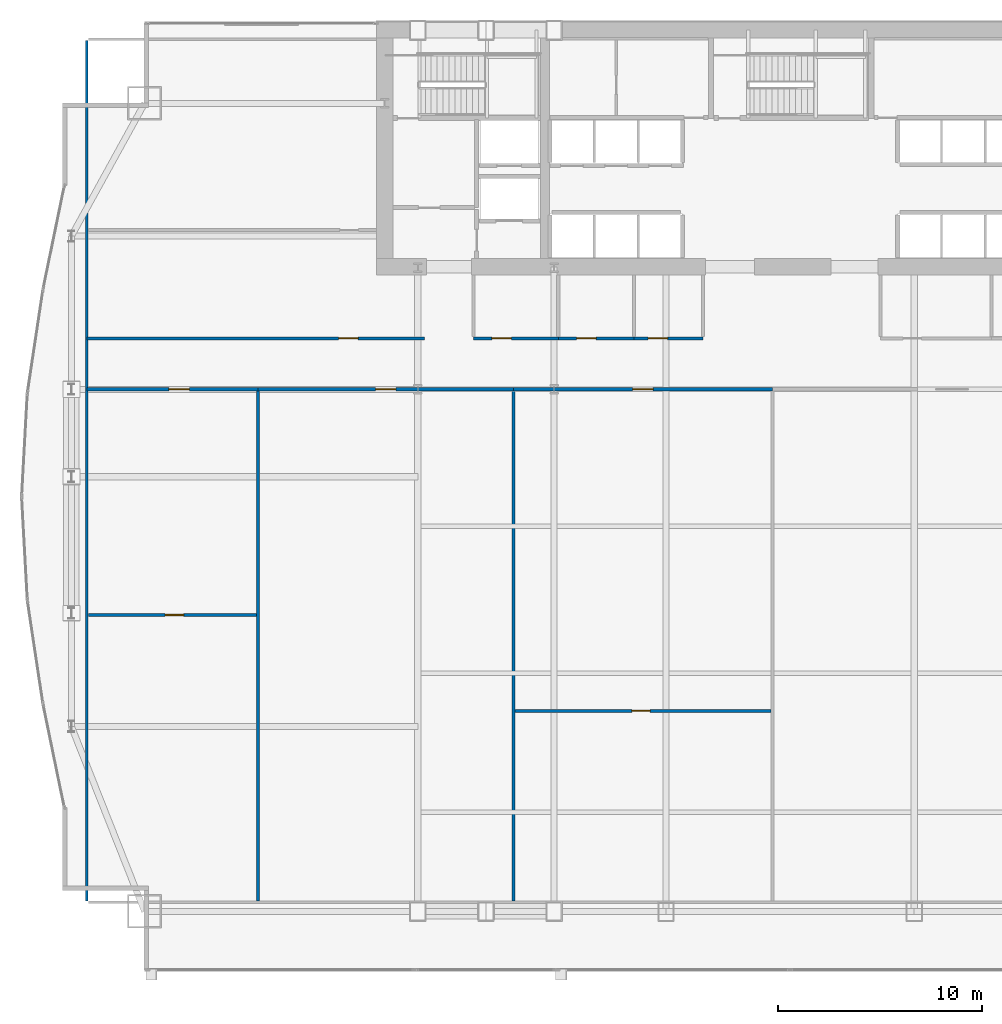
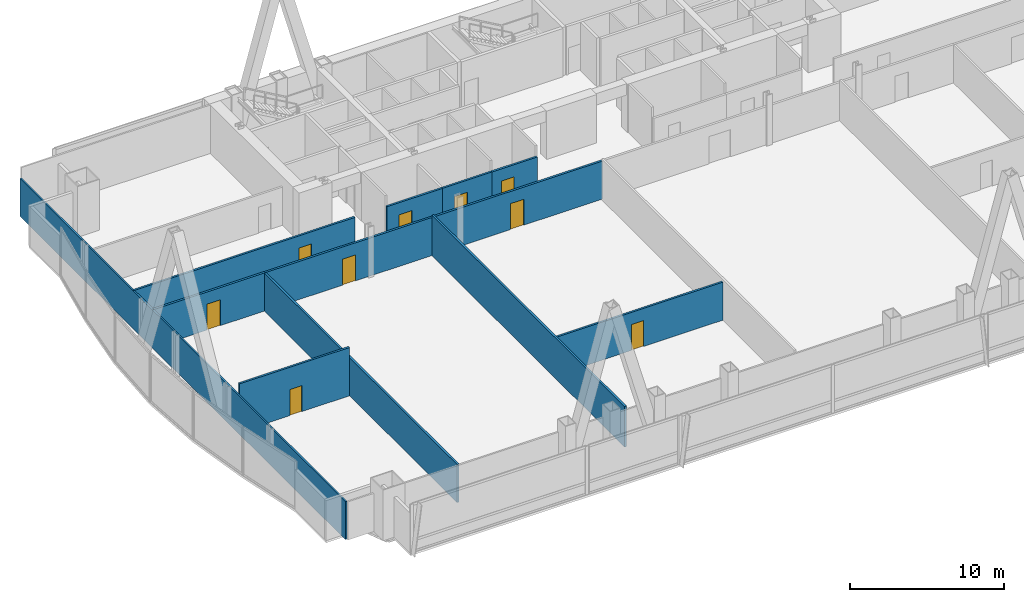
# One storey, part 30 of 36: 12 walls, 9 doors, 9 openings.
"""IFC4 building model written with IfcOpenShell, lengths in metres."""

from ifc_helpers import new_model, si_unit, direction, frame, frame_2d, origin, place, context, subcontext, project, spatial, rectangle, extrude, material, layer, layer_set, type_object, element, fill, save


model = new_model("IFC4")

# Units and contexts
model_context = context("Model", 3, precision=1e-05, world=origin(), true_north=direction((0.0, 1.0)))
body_context = subcontext(model_context, "Body", "Model", "MODEL_VIEW")
ifc_project = project(units=[si_unit("LENGTHUNIT", "METRE"), si_unit("AREAUNIT", "SQUARE_METRE"), si_unit("VOLUMEUNIT", "CUBIC_METRE"), si_unit("PLANEANGLEUNIT", "RADIAN"), si_unit("MASSUNIT", "GRAM", prefix="KILO")], contexts=[model_context])

# Site, building, storey
site_placement = place(None, origin())
site = spatial("IfcSite", under=ifc_project, at=site_placement, CompositionType="ELEMENT")
building_placement = place(site_placement, origin())
building = spatial("IfcBuilding", under=site, at=building_placement, Name="Khoronbel Lancet Exchange", CompositionType="ELEMENT")
storey_placement = place(building_placement, frame((0.0, 0.0, 49.800048828125)))
storey = spatial("IfcBuildingStorey", under=building, at=storey_placement, Name="L11", CompositionType="ELEMENT", Elevation=49.800048828125)

# Wall, opening, door
ifc_material_1 = material(Name="Acoustic Metal-Stud & Mineral-Wool Gypsum Partition 120 mm", Category="gypsum")
ifc_layer_1 = layer(ifc_material_1, 0.1201171875, Name="Acoustic Metal-Stud & Mineral-Wool Gypsum Partition 120 mm")
ifc_layer_set_1 = layer_set([ifc_layer_1], Name="Acoustic Metal-Stud & Mineral-Wool Gypsum Partition 120 mm")
wall_type_1 = type_object("IfcWallType", Name="WL-PRT120", PredefinedType="PARTITIONING", material=ifc_layer_set_1)
wall_1_placement = place(storey_placement, frame((2.094970703125, 24.656005859375, 0.0), z_axis=(0.0, 0.0, 1.0), x_axis=(1.0, 0.0, 0.0)))
wall_1 = element("IfcWall", 1, at=wall_1_placement, inside=storey, type_object=wall_type_1, Name="Level L11 interior partition PW-Z1S-H1", PredefinedType="PARTITIONING", context=body_context, shape_type="SweptSolid", body=[
    extrude(rectangle(XDim=8.225341796875, YDim=0.14990234375, at=frame_2d((4.11279296875, 0.0))), origin(), (0.0, 0.0, 1.0), 3.820068359375),
])
opening_1_placement = place(wall_1_placement, frame((3.7666015625, 0.0, 0.0)))
opening_1 = element("IfcOpeningElement", 2, at=opening_1_placement, cuts=wall_1, Name="Opening D5", PredefinedType="OPENING", context=body_context, shape_type="SweptSolid", body=[
    extrude(rectangle(XDim=0.89990234375, YDim=2.050048828125, at=frame_2d((0.449951171875, 1.02490234375))), frame((0.0, 0.0849609375, 0.0), z_axis=(0.0, -1.0, 0.0), x_axis=(1.0, 0.0, 0.0)), (0.0, 0.0, 1.0), 0.169921875),
])
ifc_material_2 = material(Name="Acoustic Timber Pantry & Support Door", Category="wood")
door_type_1 = type_object("IfcDoorType", Name="DR-D5", OperationType="NOTDEFINED", PredefinedType="DOOR", material=ifc_material_2)
door_1_placement = place(opening_1_placement, origin())
door_1 = element("IfcDoor", 3, at=door_1_placement, inside=storey, type_object=door_type_1, Name="Z1S inner door 1 L11-1", OperationType="SINGLE_SWING_RIGHT", OverallHeight=2.050048828125, OverallWidth=0.89990234375, PredefinedType="DOOR", context=body_context, shape_type="SweptSolid", body=[
    extrude(rectangle(XDim=0.89990234375, YDim=2.050048828125, at=frame_2d((0.449951171875, 1.02490234375))), frame((0.0, 0.02490234375, 0.0), z_axis=(0.0, -1.0, 0.0), x_axis=(1.0, 0.0, 0.0)), (0.0, 0.0, 1.0), 0.050048828125),
])
fill(opening_1, door_1)

wall_2_placement = place(storey_placement, frame((22.994140625, 19.9658203125, 0.0), z_axis=(0.0, 0.0, 1.0), x_axis=(1.0, 0.0, 0.0)))
wall_2 = element("IfcWall", 4, at=wall_2_placement, inside=storey, type_object=wall_type_1, Name="Level L11 interior partition PW-Z1S-H3", PredefinedType="PARTITIONING", context=body_context, shape_type="SweptSolid", body=[
    extrude(rectangle(XDim=12.520751953125, YDim=0.14990234375, at=frame_2d((6.26025390625, 0.0))), origin(), (0.0, 0.0, 1.0), 3.010009765625),
])
opening_2_placement = place(wall_2_placement, frame((5.706298828125, 0.0, 0.0)))
opening_2 = element("IfcOpeningElement", 5, at=opening_2_placement, cuts=wall_2, Name="Opening D5", PredefinedType="OPENING", context=body_context, shape_type="SweptSolid", body=[
    extrude(rectangle(XDim=0.89990234375, YDim=2.050048828125, at=frame_2d((0.449951171875, 1.02490234375))), frame((0.0, 0.0849609375, 0.0), z_axis=(0.0, -1.0, 0.0), x_axis=(1.0, 0.0, 0.0)), (0.0, 0.0, 1.0), 0.169921875),
])
door_2_placement = place(opening_2_placement, origin())
door_2 = element("IfcDoor", 6, at=door_2_placement, inside=storey, type_object=door_type_1, Name="Z1S inner door 3 L11-1", OperationType="SINGLE_SWING_LEFT", OverallHeight=2.050048828125, OverallWidth=0.89990234375, PredefinedType="DOOR", context=body_context, shape_type="SweptSolid", body=[
    extrude(rectangle(XDim=0.89990234375, YDim=2.050048828125, at=frame_2d((0.449951171875, 1.02490234375))), frame((0.0, 0.02490234375, 0.0), z_axis=(0.0, -1.0, 0.0), x_axis=(1.0, 0.0, 0.0)), (0.0, 0.0, 1.0), 0.050048828125),
])
fill(opening_2, door_2)

# Wall
wall_3_placement = place(storey_placement, frame((2.030029296875, 10.6650390625, 0.0), z_axis=(0.0, 0.0, 1.0), x_axis=(0.0, 1.0, 0.0)))
element("IfcWall", 7, at=wall_3_placement, inside=storey, type_object=wall_type_1, Name="Level L11 interior partition PW-LIN-W", PredefinedType="PARTITIONING", context=body_context, shape_type="SweptSolid", body=[
    extrude(rectangle(XDim=42.10986328125, YDim=0.1201171875, at=frame_2d((21.054931640625, 0.0))), origin(), (0.0, 0.0, 1.0), 3.010009765625),
])

# Wall, opening, door
ifc_material_3 = material(Name="Fire-Rated Twin-Stud Acoustic Gypsum Partition 150 mm", Category="gypsum")
ifc_layer_2 = layer(ifc_material_3, 0.14990234375, Name="Fire-Rated Twin-Stud Acoustic Gypsum Partition 150 mm")
ifc_layer_set_2 = layer_set([ifc_layer_2], Name="Fire-Rated Twin-Stud Acoustic Gypsum Partition 150 mm")
wall_type_2 = type_object("IfcWallType", Name="WL-PRT150C", PredefinedType="PARTITIONING", material=ifc_layer_set_2)
wall_4_placement = place(storey_placement, frame((20.949951171875, 38.199951171875, 0.0), z_axis=(0.0, 0.0, 1.0), x_axis=(1.0, 0.0, 0.0)))
wall_4 = element("IfcWall", 8, at=wall_4_placement, inside=storey, type_object=wall_type_2, Name="Level L11 interior partition PW-WC-S1", PredefinedType="PARTITIONING", context=body_context, shape_type="SweptSolid", body=[
    extrude(rectangle(XDim=4.150146484375, YDim=0.14990234375, at=frame_2d((2.0751953125, 0.0))), origin(), (0.0, 0.0, 1.0), 3.010009765625),
])
opening_3_placement = place(wall_4_placement, frame((0.89990234375, 0.0, 0.0)))
opening_3 = element("IfcOpeningElement", 9, at=opening_3_placement, cuts=wall_4, Name="Opening D4", PredefinedType="OPENING", context=body_context, shape_type="SweptSolid", body=[
    extrude(rectangle(XDim=0.949951171875, YDim=2.050048828125, at=frame_2d((0.47509765625, 1.02490234375))), frame((0.0, 0.0849609375, 0.0), z_axis=(0.0, -1.0, 0.0), x_axis=(1.0, 0.0, 0.0)), (0.0, 0.0, 1.0), 0.169921875),
])
ifc_material_4 = material(Name="Moisture-Resistant HPL Washroom Door", Category="wood")
door_type_2 = type_object("IfcDoorType", Name="DR-D4", OperationType="NOTDEFINED", PredefinedType="DOOR", material=ifc_material_4)
door_3_placement = place(opening_3_placement, origin())
door_3 = element("IfcDoor", 10, at=door_3_placement, inside=storey, type_object=door_type_2, Name="Male washroom door L11-1", OperationType="SINGLE_SWING_RIGHT", OverallHeight=2.050048828125, OverallWidth=0.949951171875, PredefinedType="DOOR", context=body_context, shape_type="SweptSolid", body=[
    extrude(rectangle(XDim=0.949951171875, YDim=2.050048828125, at=frame_2d((0.47509765625, 1.02490234375))), frame((0.0, 0.02490234375, 0.0), z_axis=(0.0, -1.0, 0.0), x_axis=(1.0, 0.0, 0.0)), (0.0, 0.0, 1.0), 0.050048828125),
])
fill(opening_3, door_3)

wall_5_placement = place(storey_placement, frame((25.10009765625, 38.199951171875, 0.0), z_axis=(0.0, 0.0, 1.0), x_axis=(1.0, 0.0, 0.0)))
wall_5 = element("IfcWall", 11, at=wall_5_placement, inside=storey, type_object=wall_type_2, Name="Level L11 interior partition PW-WC-S2", PredefinedType="PARTITIONING", context=body_context, shape_type="SweptSolid", body=[
    extrude(rectangle(XDim=3.699951171875, YDim=0.14990234375, at=frame_2d((1.85009765625, 0.0))), origin(), (0.0, 0.0, 1.0), 3.010009765625),
])
opening_4_placement = place(wall_5_placement, frame((0.89990234375, 0.0, 0.0)))
opening_4 = element("IfcOpeningElement", 12, at=opening_4_placement, cuts=wall_5, Name="Opening D4", PredefinedType="OPENING", context=body_context, shape_type="SweptSolid", body=[
    extrude(rectangle(XDim=0.949951171875, YDim=2.050048828125, at=frame_2d((0.47509765625, 1.02490234375))), frame((0.0, 0.0849609375, 0.0), z_axis=(0.0, -1.0, 0.0), x_axis=(1.0, 0.0, 0.0)), (0.0, 0.0, 1.0), 0.169921875),
])
door_4_placement = place(opening_4_placement, origin())
door_4 = element("IfcDoor", 13, at=door_4_placement, inside=storey, type_object=door_type_2, Name="Female washroom door L11-1", OperationType="SINGLE_SWING_LEFT", OverallHeight=2.050048828125, OverallWidth=0.949951171875, PredefinedType="DOOR", context=body_context, shape_type="SweptSolid", body=[
    extrude(rectangle(XDim=0.949951171875, YDim=2.050048828125, at=frame_2d((0.47509765625, 1.02490234375))), frame((0.0, 0.02490234375, 0.0), z_axis=(0.0, -1.0, 0.0), x_axis=(1.0, 0.0, 0.0)), (0.0, 0.0, 1.0), 0.050048828125),
])
fill(opening_4, door_4)

wall_6_placement = place(storey_placement, frame((28.800048828125, 38.199951171875, 0.0), z_axis=(0.0, 0.0, 1.0), x_axis=(1.0, 0.0, 0.0)))
wall_6 = element("IfcWall", 14, at=wall_6_placement, inside=storey, type_object=wall_type_2, Name="Level L11 interior partition PW-WC-S3", PredefinedType="PARTITIONING", context=body_context, shape_type="SweptSolid", body=[
    extrude(rectangle(XDim=3.3798828125, YDim=0.14990234375, at=frame_2d((1.68994140625, 0.0))), origin(), (0.0, 0.0, 1.0), 3.010009765625),
])
opening_5_placement = place(wall_6_placement, frame((0.699951171875, 0.0, 0.0)))
opening_5 = element("IfcOpeningElement", 15, at=opening_5_placement, cuts=wall_6, Name="Opening D4", PredefinedType="OPENING", context=body_context, shape_type="SweptSolid", body=[
    extrude(rectangle(XDim=0.949951171875, YDim=2.050048828125, at=frame_2d((0.47509765625, 1.02490234375))), frame((0.0, 0.0849609375, 0.0), z_axis=(0.0, -1.0, 0.0), x_axis=(1.0, 0.0, 0.0)), (0.0, 0.0, 1.0), 0.169921875),
])
door_5_placement = place(opening_5_placement, origin())
door_5 = element("IfcDoor", 16, at=door_5_placement, inside=storey, type_object=door_type_2, Name="Accessible WC door L11-1", OperationType="SINGLE_SWING_RIGHT", OverallHeight=2.050048828125, OverallWidth=0.949951171875, PredefinedType="DOOR", context=body_context, shape_type="SweptSolid", body=[
    extrude(rectangle(XDim=0.949951171875, YDim=2.050048828125, at=frame_2d((0.47509765625, 1.02490234375))), frame((0.0, 0.02490234375, 0.0), z_axis=(0.0, -1.0, 0.0), x_axis=(1.0, 0.0, 0.0)), (0.0, 0.0, 1.0), 0.050048828125),
])
fill(opening_5, door_5)

wall_7_placement = place(storey_placement, frame((2.030029296875, 38.199951171875, 0.0), z_axis=(0.0, 0.0, 1.0), x_axis=(1.0, 0.0, 0.0)))
wall_7 = element("IfcWall", 17, at=wall_7_placement, inside=storey, type_object=wall_type_2, Name="Level L11 interior partition PW-NW-S", PredefinedType="PARTITIONING", context=body_context, shape_type="SweptSolid", body=[
    extrude(rectangle(XDim=16.52001953125, YDim=0.14990234375, at=frame_2d((8.260009765625, 0.0))), origin(), (0.0, 0.0, 1.0), 3.010009765625),
])
opening_6_placement = place(wall_7_placement, frame((12.320068359375, 0.0, 0.0)))
opening_6 = element("IfcOpeningElement", 18, at=opening_6_placement, cuts=wall_7, Name="Opening D1", PredefinedType="OPENING", context=body_context, shape_type="SweptSolid", body=[
    extrude(rectangle(XDim=0.949951171875, YDim=2.050048828125, at=frame_2d((0.47509765625, 1.02490234375))), frame((0.0, 0.0849609375, 0.0), z_axis=(0.0, -1.0, 0.0), x_axis=(1.0, 0.0, 0.0)), (0.0, 0.0, 1.0), 0.169921875),
])
ifc_material_5 = material(Name="Acoustic Veneered Timber & Bronze Frame Door", Category="wood")
door_type_3 = type_object("IfcDoorType", Name="DR-D1", OperationType="NOTDEFINED", PredefinedType="DOOR", material=ifc_material_5)
door_6_placement = place(opening_6_placement, origin())
door_6 = element("IfcDoor", 19, at=door_6_placement, inside=storey, type_object=door_type_3, Name="NW corner room door L11-1", OperationType="SINGLE_SWING_LEFT", OverallHeight=2.050048828125, OverallWidth=0.949951171875, PredefinedType="DOOR", context=body_context, shape_type="SweptSolid", body=[
    extrude(rectangle(XDim=0.949951171875, YDim=2.050048828125, at=frame_2d((0.47509765625, 1.02490234375))), frame((0.0, 0.02490234375, 0.0), z_axis=(0.0, -1.0, 0.0), x_axis=(1.0, 0.0, 0.0)), (0.0, 0.0, 1.0), 0.050048828125),
])
fill(opening_6, door_6)

# Walls
wall_8_placement = place(storey_placement, frame((10.400390625, 10.6650390625, 0.0), z_axis=(0.0, 0.0, 1.0), x_axis=(0.0, 1.0, 0.0)))
element("IfcWall", 20, at=wall_8_placement, inside=storey, type_object=wall_type_2, Name="Level L11 interior partition PW-Z1S-V1", PredefinedType="PARTITIONING", context=body_context, shape_type="SweptSolid", body=[
    extrude(rectangle(XDim=24.949951171875, YDim=0.14990234375, at=frame_2d((12.47509765625, 0.0))), origin(), (0.0, 0.0, 1.0), 3.010009765625),
])
wall_9_placement = place(storey_placement, frame((22.914306640625, 10.6650390625, 0.0), z_axis=(0.0, 0.0, 1.0), x_axis=(0.0, 1.0, 0.0)))
element("IfcWall", 21, at=wall_9_placement, inside=storey, type_object=wall_type_2, Name="Level L11 interior partition PW-Z1S-V2", PredefinedType="PARTITIONING", context=body_context, shape_type="SweptSolid", body=[
    extrude(rectangle(XDim=24.949951171875, YDim=0.14990234375, at=frame_2d((12.47509765625, 0.0))), origin(), (0.0, 0.0, 1.0), 3.2099609375),
])

# Wall, opening, door
ifc_material_6 = material(Name="Fire-Rated Twin-Stud Acoustic Gypsum Partition 160 mm", Category="gypsum")
ifc_layer_3 = layer(ifc_material_6, 0.159912109375, Name="Fire-Rated Twin-Stud Acoustic Gypsum Partition 160 mm")
ifc_layer_set_3 = layer_set([ifc_layer_3], Name="Fire-Rated Twin-Stud Acoustic Gypsum Partition 160 mm")
wall_type_3 = type_object("IfcWallType", Name="WL-PRT160C", PredefinedType="PARTITIONING", material=ifc_layer_set_3)
wall_10_placement = place(storey_placement, frame((2.030029296875, 35.699951171875, 0.0), z_axis=(0.0, 0.0, 1.0), x_axis=(1.0, 0.0, 0.0)))
wall_10 = element("IfcWall", 22, at=wall_10_placement, inside=storey, type_object=wall_type_3, Name="Level L11 interior partition PW-Z1S-COR1", PredefinedType="PARTITIONING", context=body_context, shape_type="SweptSolid", body=[
    extrude(rectangle(XDim=8.370361328125, YDim=0.159912109375, at=frame_2d((4.18505859375, 0.0))), origin(), (0.0, 0.0, 1.0), 3.010009765625),
])
opening_7_placement = place(wall_10_placement, frame((4.015625, 0.0, 0.0)))
opening_7 = element("IfcOpeningElement", 23, at=opening_7_placement, cuts=wall_10, Name="Opening D2", PredefinedType="OPENING", context=body_context, shape_type="SweptSolid", body=[
    extrude(rectangle(XDim=1.0, YDim=2.050048828125, at=frame_2d((0.5, 1.02490234375))), frame((0.0, 0.08984375, 0.0), z_axis=(0.0, -1.0, 0.0), x_axis=(1.0, 0.0, 0.0)), (0.0, 0.0, 1.0), 0.179931640625),
])
door_type_4 = type_object("IfcDoorType", Name="DR-D2", OperationType="NOTDEFINED", PredefinedType="DOOR", material=ifc_material_5)
door_7_placement = place(opening_7_placement, origin())
door_7 = element("IfcDoor", 24, at=door_7_placement, inside=storey, type_object=door_type_4, Name="Z1S bay 1 door L11-1", OperationType="SINGLE_SWING_LEFT", OverallHeight=2.050048828125, OverallWidth=1.0, PredefinedType="DOOR", context=body_context, shape_type="SweptSolid", body=[
    extrude(rectangle(XDim=1.0, YDim=2.050048828125, at=frame_2d((0.5, 1.02490234375))), frame((0.0, 0.02490234375, 0.0), z_axis=(0.0, -1.0, 0.0), x_axis=(1.0, 0.0, 0.0)), (0.0, 0.0, 1.0), 0.050048828125),
])
fill(opening_7, door_7)

wall_11_placement = place(storey_placement, frame((10.400390625, 35.699951171875, 0.0), z_axis=(0.0, 0.0, 1.0), x_axis=(1.0, 0.0, 0.0)))
wall_11 = element("IfcWall", 25, at=wall_11_placement, inside=storey, type_object=wall_type_3, Name="Level L11 interior partition PW-Z1S-COR2", PredefinedType="PARTITIONING", context=body_context, shape_type="SweptSolid", body=[
    extrude(rectangle(XDim=12.513916015625, YDim=0.159912109375, at=frame_2d((6.2568359375, 0.0))), origin(), (0.0, 0.0, 1.0), 3.010009765625),
])
opening_8_placement = place(wall_11_placement, frame((5.755859375, 0.0, 0.0)))
opening_8 = element("IfcOpeningElement", 26, at=opening_8_placement, cuts=wall_11, Name="Opening D2", PredefinedType="OPENING", context=body_context, shape_type="SweptSolid", body=[
    extrude(rectangle(XDim=1.0, YDim=2.050048828125, at=frame_2d((0.5, 1.02490234375))), frame((0.0, 0.08984375, 0.0), z_axis=(0.0, -1.0, 0.0), x_axis=(1.0, 0.0, 0.0)), (0.0, 0.0, 1.0), 0.179931640625),
])
door_8_placement = place(opening_8_placement, origin())
door_8 = element("IfcDoor", 27, at=door_8_placement, inside=storey, type_object=door_type_4, Name="Z1S bay 2 door L11-1", OperationType="SINGLE_SWING_LEFT", OverallHeight=2.050048828125, OverallWidth=1.0, PredefinedType="DOOR", context=body_context, shape_type="SweptSolid", body=[
    extrude(rectangle(XDim=1.0, YDim=2.050048828125, at=frame_2d((0.5, 1.02490234375))), frame((0.0, 0.02490234375, 0.0), z_axis=(0.0, -1.0, 0.0), x_axis=(1.0, 0.0, 0.0)), (0.0, 0.0, 1.0), 0.050048828125),
])
fill(opening_8, door_8)

wall_12_placement = place(storey_placement, frame((22.914306640625, 35.699951171875, 0.0), z_axis=(0.0, 0.0, 1.0), x_axis=(1.0, 0.0, 0.0)))
wall_12 = element("IfcWall", 28, at=wall_12_placement, inside=storey, type_object=wall_type_3, Name="Level L11 interior partition PW-Z1S-COR3", PredefinedType="PARTITIONING", context=body_context, shape_type="SweptSolid", body=[
    extrude(rectangle(XDim=12.6806640625, YDim=0.159912109375, at=frame_2d((6.34033203125, 0.0))), origin(), (0.0, 0.0, 1.0), 3.010009765625),
])
opening_9_placement = place(wall_12_placement, frame((5.825927734375, 0.0, 0.0)))
opening_9 = element("IfcOpeningElement", 29, at=opening_9_placement, cuts=wall_12, Name="Opening D2", PredefinedType="OPENING", context=body_context, shape_type="SweptSolid", body=[
    extrude(rectangle(XDim=1.0, YDim=2.050048828125, at=frame_2d((0.5, 1.02490234375))), frame((0.0, 0.08984375, 0.0), z_axis=(0.0, -1.0, 0.0), x_axis=(1.0, 0.0, 0.0)), (0.0, 0.0, 1.0), 0.179931640625),
])
door_9_placement = place(opening_9_placement, origin())
door_9 = element("IfcDoor", 30, at=door_9_placement, inside=storey, type_object=door_type_4, Name="Z1S bay 3 door L11-1", OperationType="SINGLE_SWING_RIGHT", OverallHeight=2.050048828125, OverallWidth=1.0, PredefinedType="DOOR", context=body_context, shape_type="SweptSolid", body=[
    extrude(rectangle(XDim=1.0, YDim=2.050048828125, at=frame_2d((0.5, 1.02490234375))), frame((0.0, 0.02490234375, 0.0), z_axis=(0.0, -1.0, 0.0), x_axis=(1.0, 0.0, 0.0)), (0.0, 0.0, 1.0), 0.050048828125),
])
fill(opening_9, door_9)

save(model, "model.ifc")
